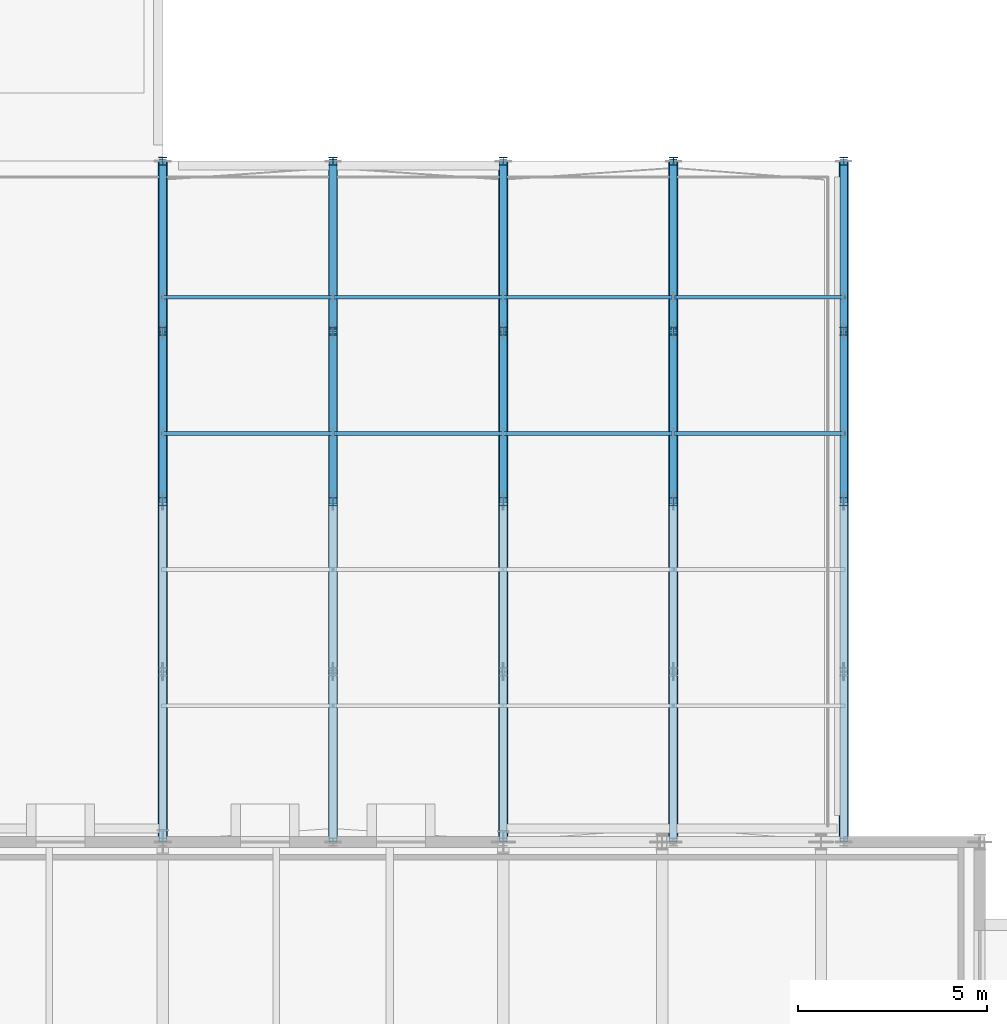
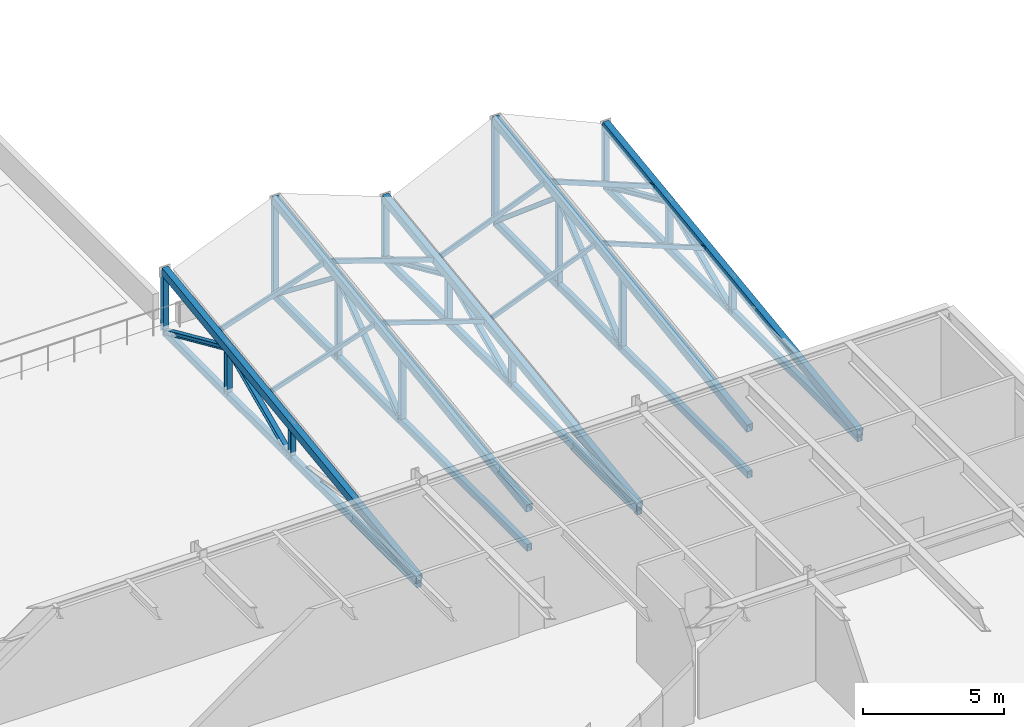
# One storey, part 60 of 142: 43 members.
"""IFC4 building model written with IfcOpenShell, lengths in metres."""

from ifc_helpers import new_model, si_unit, direction, frame, origin, origin_2d, place, context, subcontext, project, spatial, hollow_rectangle, i_section, extrude, material, material_profile, profile_set, type_object, element, save


model = new_model("IFC4")

# Units and contexts
model_context = context("Model", 3, precision=1e-05, world=origin(), true_north=direction((0.0, 1.0)))
body_context = subcontext(model_context, "Body", "Model", "MODEL_VIEW")
ifc_project = project(units=[si_unit("LENGTHUNIT", "METRE"), si_unit("AREAUNIT", "SQUARE_METRE"), si_unit("VOLUMEUNIT", "CUBIC_METRE"), si_unit("PLANEANGLEUNIT", "RADIAN"), si_unit("MASSUNIT", "GRAM", prefix="KILO")], contexts=[model_context])

# Site, building, storey
site_placement = place(None, origin())
site = spatial("IfcSite", under=ifc_project, at=site_placement, CompositionType="ELEMENT")
building_placement = place(site_placement, origin())
building = spatial("IfcBuilding", under=site, at=building_placement, Name="Montelvaro Courts of Justice", CompositionType="ELEMENT")
storey_placement = place(building_placement, frame((0.0, 0.0, 14.39990234375)))
storey = spatial("IfcBuildingStorey", under=building, at=storey_placement, Name="L03", CompositionType="ELEMENT", Elevation=14.39990234375)

# Members
ifc_material = material(Name="Steel S355", Category="steel")
ifc_material_profile_1 = material_profile(ifc_material, i_section(OverallWidth=0.199951171875, OverallDepth=0.18994140625, WebThickness=0.006591796875, FlangeThickness=0.010009765625, at=origin_2d()), Name="HEA 200")
ifc_profile_set_1 = profile_set([ifc_material_profile_1], Name="Steel S355")
member_type_1 = type_object("IfcMemberType", Name="Mem_HEA200_Brace", PredefinedType="BRACE", material=ifc_profile_set_1)
for number, where, z_axis, x_axis, name in (
    (1, (126.0, 33.0, -0.2998046875), (0.0, 0.913056203358, 0.407833752292), (-1.0, 0.0, 0.0), "Roof Truss Web MB-02 ROOF-V4E-VTR01-W3"),
    (2, (126.0, 37.5, 1.710205078125), (0.0, 0.913056203358, -0.407833752292), (-1.0, 0.0, 0.0), "Roof Truss Web MB-02 ROOF-V4E-VTR01-W4"),
    (3, (135.0, 33.0, -0.2998046875), (0.0, 0.913056203358, 0.407833752292), (-1.0, 0.0, 0.0), "Roof Truss Web MB-02 ROOF-V4E-VTR02-W3"),
    (4, (135.0, 37.5, 1.710205078125), (0.0, 0.913056203358, -0.407833752292), (-1.0, 0.0, 0.0), "Roof Truss Web MB-02 ROOF-V4E-VTR02-W4"),
    (5, (144.0, 33.0, -0.2998046875), (0.0, 0.913056203358, 0.407833752292), (-1.0, 0.0, 0.0), "Roof Truss Web MB-02 ROOF-V4E-VTR03-W3"),
    (6, (144.0, 37.5, 1.710205078125), (0.0, 0.913056203358, -0.407833752292), (-1.0, 0.0, 0.0), "Roof Truss Web MB-02 ROOF-V4E-VTR03-W4"),
):
    element("IfcMember", number, at=place(storey_placement, frame(where, z_axis=z_axis, x_axis=x_axis)), inside=storey, type_object=member_type_1, Name=name, PredefinedType="BRACE", context=body_context, shape_type="SweptSolid", body=[
        extrude(i_section(OverallWidth=0.199951171875, OverallDepth=0.18994140625, WebThickness=0.006591796875, FlangeThickness=0.010009765625, at=origin_2d()), origin(), (0.0, 0.0, 1.0), 4.928466796875),
    ])
for number, where, z_axis, x_axis, name in (
    (7, (130.5, 33.0, -0.2998046875), (0.0, 0.788501476184, 0.615032862581), (-1.0, 0.0, 0.0), "Roof Truss Web MB-02 ROOF-V4E-RTR01-W3"),
    (8, (130.5, 37.5, 3.210205078125), (0.0, 0.788501476184, -0.615032862581), (-1.0, 0.0, 0.0), "Roof Truss Web MB-02 ROOF-V4E-RTR01-W4"),
):
    element("IfcMember", number, at=place(storey_placement, frame(where, z_axis=z_axis, x_axis=x_axis)), inside=storey, type_object=member_type_1, Name=name, PredefinedType="BRACE", context=body_context, shape_type="SweptSolid", body=[
        extrude(i_section(OverallWidth=0.199951171875, OverallDepth=0.18994140625, WebThickness=0.006591796875, FlangeThickness=0.010009765625, at=origin_2d()), origin(), (0.0, 0.0, 1.0), 5.70703125),
    ])
for number, where, z_axis, x_axis, name in (
    (9, (139.5, 33.0, -0.2998046875), (0.0, 0.763208778759, 0.64615196357), (-1.0, 0.0, 0.0), "Roof Truss Web MB-02 ROOF-V4E-RTR02-W3"),
    (10, (139.5, 37.5, 3.510009765625), (0.0, 0.763208778759, -0.64615196357), (-1.0, 0.0, 0.0), "Roof Truss Web MB-02 ROOF-V4E-RTR02-W4"),
):
    element("IfcMember", number, at=place(storey_placement, frame(where, z_axis=z_axis, x_axis=x_axis)), inside=storey, type_object=member_type_1, Name=name, PredefinedType="BRACE", context=body_context, shape_type="SweptSolid", body=[
        extrude(i_section(OverallWidth=0.199951171875, OverallDepth=0.18994140625, WebThickness=0.006591796875, FlangeThickness=0.010009765625, at=origin_2d()), origin(), (0.0, 0.0, 1.0), 5.896240234375),
    ])
ifc_material_profile_2 = material_profile(ifc_material, i_section(OverallWidth=0.219970703125, OverallDepth=0.2099609375, WebThickness=0.007080078125, FlangeThickness=0.010986328125, at=origin_2d()), Name="HEA 220")
ifc_profile_set_2 = profile_set([ifc_material_profile_2], Name="Steel S355")
member_type_2 = type_object("IfcMemberType", Name="Mem_HEA220_Post", PredefinedType="POST", material=ifc_profile_set_2)
member_1_placement = place(storey_placement, frame((126.0, 33.0, -0.2998046875), z_axis=(0.0, 0.0, 1.0), x_axis=(1.0, 0.0, 0.0)))
element("IfcMember", 11, at=member_1_placement, inside=storey, type_object=member_type_2, Name="Roof Truss Post MP-03 ROOF-V4E-VTR01-V2", PredefinedType="POST", context=body_context, shape_type="SweptSolid", body=[
    extrude(i_section(OverallWidth=0.219970703125, OverallDepth=0.2099609375, WebThickness=0.007080078125, FlangeThickness=0.010986328125, at=origin_2d()), origin(), (0.0, 0.0, 1.0), 1.409912109375),
])
member_2_placement = place(storey_placement, frame((126.0, 37.5, -0.2998046875), z_axis=(0.0, 0.0, 1.0), x_axis=(1.0, 0.0, 0.0)))
element("IfcMember", 12, at=member_2_placement, inside=storey, type_object=member_type_2, Name="Roof Truss Post MP-03 ROOF-V4E-VTR01-V3", PredefinedType="POST", context=body_context, shape_type="SweptSolid", body=[
    extrude(i_section(OverallWidth=0.219970703125, OverallDepth=0.2099609375, WebThickness=0.007080078125, FlangeThickness=0.010986328125, at=origin_2d()), origin(), (0.0, 0.0, 1.0), 2.010009765625),
])
member_3_placement = place(storey_placement, frame((126.0, 42.0, -0.2998046875), z_axis=(0.0, 0.0, 1.0), x_axis=(1.0, 0.0, 0.0)))
element("IfcMember", 13, at=member_3_placement, inside=storey, type_object=member_type_2, Name="Roof Truss Post MP-03 ROOF-V4E-VTR01-V4", PredefinedType="POST", context=body_context, shape_type="SweptSolid", body=[
    extrude(i_section(OverallWidth=0.219970703125, OverallDepth=0.2099609375, WebThickness=0.007080078125, FlangeThickness=0.010986328125, at=origin_2d()), origin(), (0.0, 0.0, 1.0), 2.60986328125),
])
member_4_placement = place(storey_placement, frame((135.0, 33.0, -0.2998046875), z_axis=(0.0, 0.0, 1.0), x_axis=(1.0, 0.0, 0.0)))
element("IfcMember", 14, at=member_4_placement, inside=storey, type_object=member_type_2, Name="Roof Truss Post MP-03 ROOF-V4E-VTR02-V2", PredefinedType="POST", context=body_context, shape_type="SweptSolid", body=[
    extrude(i_section(OverallWidth=0.219970703125, OverallDepth=0.2099609375, WebThickness=0.007080078125, FlangeThickness=0.010986328125, at=origin_2d()), origin(), (0.0, 0.0, 1.0), 1.409912109375),
])
member_5_placement = place(storey_placement, frame((135.0, 37.5, -0.2998046875), z_axis=(0.0, 0.0, 1.0), x_axis=(1.0, 0.0, 0.0)))
element("IfcMember", 15, at=member_5_placement, inside=storey, type_object=member_type_2, Name="Roof Truss Post MP-03 ROOF-V4E-VTR02-V3", PredefinedType="POST", context=body_context, shape_type="SweptSolid", body=[
    extrude(i_section(OverallWidth=0.219970703125, OverallDepth=0.2099609375, WebThickness=0.007080078125, FlangeThickness=0.010986328125, at=origin_2d()), origin(), (0.0, 0.0, 1.0), 2.010009765625),
])
member_6_placement = place(storey_placement, frame((135.0, 42.0, -0.2998046875), z_axis=(0.0, 0.0, 1.0), x_axis=(1.0, 0.0, 0.0)))
element("IfcMember", 16, at=member_6_placement, inside=storey, type_object=member_type_2, Name="Roof Truss Post MP-03 ROOF-V4E-VTR02-V4", PredefinedType="POST", context=body_context, shape_type="SweptSolid", body=[
    extrude(i_section(OverallWidth=0.219970703125, OverallDepth=0.2099609375, WebThickness=0.007080078125, FlangeThickness=0.010986328125, at=origin_2d()), origin(), (0.0, 0.0, 1.0), 2.60986328125),
])
member_7_placement = place(storey_placement, frame((144.0, 33.0, -0.2998046875), z_axis=(0.0, 0.0, 1.0), x_axis=(1.0, 0.0, 0.0)))
element("IfcMember", 17, at=member_7_placement, inside=storey, type_object=member_type_2, Name="Roof Truss Post MP-03 ROOF-V4E-VTR03-V2", PredefinedType="POST", context=body_context, shape_type="SweptSolid", body=[
    extrude(i_section(OverallWidth=0.219970703125, OverallDepth=0.2099609375, WebThickness=0.007080078125, FlangeThickness=0.010986328125, at=origin_2d()), origin(), (0.0, 0.0, 1.0), 1.409912109375),
])
member_8_placement = place(storey_placement, frame((144.0, 37.5, -0.2998046875), z_axis=(0.0, 0.0, 1.0), x_axis=(1.0, 0.0, 0.0)))
element("IfcMember", 18, at=member_8_placement, inside=storey, type_object=member_type_2, Name="Roof Truss Post MP-03 ROOF-V4E-VTR03-V3", PredefinedType="POST", context=body_context, shape_type="SweptSolid", body=[
    extrude(i_section(OverallWidth=0.219970703125, OverallDepth=0.2099609375, WebThickness=0.007080078125, FlangeThickness=0.010986328125, at=origin_2d()), origin(), (0.0, 0.0, 1.0), 2.010009765625),
])
member_9_placement = place(storey_placement, frame((144.0, 42.0, -0.2998046875), z_axis=(0.0, 0.0, 1.0), x_axis=(1.0, 0.0, 0.0)))
element("IfcMember", 19, at=member_9_placement, inside=storey, type_object=member_type_2, Name="Roof Truss Post MP-03 ROOF-V4E-VTR03-V4", PredefinedType="POST", context=body_context, shape_type="SweptSolid", body=[
    extrude(i_section(OverallWidth=0.219970703125, OverallDepth=0.2099609375, WebThickness=0.007080078125, FlangeThickness=0.010986328125, at=origin_2d()), origin(), (0.0, 0.0, 1.0), 2.60986328125),
])
member_10_placement = place(storey_placement, frame((130.5, 33.0, -0.2998046875), z_axis=(0.0, 0.0, 1.0), x_axis=(1.0, 0.0, 0.0)))
element("IfcMember", 20, at=member_10_placement, inside=storey, type_object=member_type_2, Name="Roof Truss Post MP-03 ROOF-V4E-RTR01-V2", PredefinedType="POST", context=body_context, shape_type="SweptSolid", body=[
    extrude(i_section(OverallWidth=0.219970703125, OverallDepth=0.2099609375, WebThickness=0.007080078125, FlangeThickness=0.010986328125, at=origin_2d()), origin(), (0.0, 0.0, 1.0), 2.909912109375),
])
member_11_placement = place(storey_placement, frame((130.5, 37.5, -0.2998046875), z_axis=(0.0, 0.0, 1.0), x_axis=(1.0, 0.0, 0.0)))
element("IfcMember", 21, at=member_11_placement, inside=storey, type_object=member_type_2, Name="Roof Truss Post MP-03 ROOF-V4E-RTR01-V3", PredefinedType="POST", context=body_context, shape_type="SweptSolid", body=[
    extrude(i_section(OverallWidth=0.219970703125, OverallDepth=0.2099609375, WebThickness=0.007080078125, FlangeThickness=0.010986328125, at=origin_2d()), origin(), (0.0, 0.0, 1.0), 3.510009765625),
])
member_12_placement = place(storey_placement, frame((130.5, 42.0, -0.2998046875), z_axis=(0.0, 0.0, 1.0), x_axis=(1.0, 0.0, 0.0)))
element("IfcMember", 22, at=member_12_placement, inside=storey, type_object=member_type_2, Name="Roof Truss Post MP-03 ROOF-V4E-RTR01-V4", PredefinedType="POST", context=body_context, shape_type="SweptSolid", body=[
    extrude(i_section(OverallWidth=0.219970703125, OverallDepth=0.2099609375, WebThickness=0.007080078125, FlangeThickness=0.010986328125, at=origin_2d()), origin(), (0.0, 0.0, 1.0), 4.10986328125),
])
member_13_placement = place(storey_placement, frame((139.5, 33.0, -0.2998046875), z_axis=(0.0, 0.0, 1.0), x_axis=(1.0, 0.0, 0.0)))
element("IfcMember", 23, at=member_13_placement, inside=storey, type_object=member_type_2, Name="Roof Truss Post MP-03 ROOF-V4E-RTR02-V2", PredefinedType="POST", context=body_context, shape_type="SweptSolid", body=[
    extrude(i_section(OverallWidth=0.219970703125, OverallDepth=0.2099609375, WebThickness=0.007080078125, FlangeThickness=0.010986328125, at=origin_2d()), origin(), (0.0, 0.0, 1.0), 3.2099609375),
])
member_14_placement = place(storey_placement, frame((139.5, 37.5, -0.2998046875), z_axis=(0.0, 0.0, 1.0), x_axis=(1.0, 0.0, 0.0)))
element("IfcMember", 24, at=member_14_placement, inside=storey, type_object=member_type_2, Name="Roof Truss Post MP-03 ROOF-V4E-RTR02-V3", PredefinedType="POST", context=body_context, shape_type="SweptSolid", body=[
    extrude(i_section(OverallWidth=0.219970703125, OverallDepth=0.2099609375, WebThickness=0.007080078125, FlangeThickness=0.010986328125, at=origin_2d()), origin(), (0.0, 0.0, 1.0), 3.809814453125),
])
member_15_placement = place(storey_placement, frame((139.5, 42.0, -0.2998046875), z_axis=(0.0, 0.0, 1.0), x_axis=(1.0, 0.0, 0.0)))
element("IfcMember", 25, at=member_15_placement, inside=storey, type_object=member_type_2, Name="Roof Truss Post MP-03 ROOF-V4E-RTR02-V4", PredefinedType="POST", context=body_context, shape_type="SweptSolid", body=[
    extrude(i_section(OverallWidth=0.219970703125, OverallDepth=0.2099609375, WebThickness=0.007080078125, FlangeThickness=0.010986328125, at=origin_2d()), origin(), (0.0, 0.0, 1.0), 4.409912109375),
])
ifc_material_profile_3 = material_profile(ifc_material, hollow_rectangle(XDim=0.10009765625, YDim=0.179931640625, WallThickness=0.008056640625, at=origin_2d()), Name="RHS 180x100x8")
ifc_profile_set_3 = profile_set([ifc_material_profile_3], Name="Steel S355")
member_type_3 = type_object("IfcMemberType", Name="Mem_RHS180_Purlin", PredefinedType="PURLIN", material=ifc_profile_set_3)
for number, where, z_axis, x_axis, name in (
    (26, (126.0, 34.800048828125, 1.35009765625), (0.948683298051, 0.0, 0.316227766017), (0.0, 1.0, 0.0), "Roof Purlin MR-03 ROOF-V4E-PRL-01-3L"),
    (27, (130.5, 34.800048828125, 2.85009765625), (0.948683298051, 0.0, -0.316227766017), (0.0, 1.0, 0.0), "Roof Purlin MR-03 ROOF-V4E-PRL-01-3R"),
):
    element("IfcMember", number, at=place(storey_placement, frame(where, z_axis=z_axis, x_axis=x_axis)), inside=storey, type_object=member_type_3, Name=name, PredefinedType="PURLIN", context=body_context, shape_type="SweptSolid", body=[
        extrude(hollow_rectangle(XDim=0.10009765625, YDim=0.179931640625, WallThickness=0.008056640625, at=origin_2d()), origin(), (0.0, 0.0, 1.0), 4.743408203125),
    ])
for number, where, z_axis, x_axis, name in (
    (28, (135.0, 34.800048828125, 1.35009765625), (0.928473216852, 0.0, 0.37139936132), (0.0, 1.0, 0.0), "Roof Purlin MR-03 ROOF-V4E-PRL-02-3L"),
    (29, (139.5, 34.800048828125, 3.150146484375), (0.928473216852, 0.0, -0.37139936132), (0.0, 1.0, 0.0), "Roof Purlin MR-03 ROOF-V4E-PRL-02-3R"),
):
    element("IfcMember", number, at=place(storey_placement, frame(where, z_axis=z_axis, x_axis=x_axis)), inside=storey, type_object=member_type_3, Name=name, PredefinedType="PURLIN", context=body_context, shape_type="SweptSolid", body=[
        extrude(hollow_rectangle(XDim=0.10009765625, YDim=0.179931640625, WallThickness=0.008056640625, at=origin_2d()), origin(), (0.0, 0.0, 1.0), 4.8466796875),
    ])
ifc_material_profile_4 = material_profile(ifc_material, hollow_rectangle(XDim=0.10009765625, YDim=0.199951171875, WallThickness=0.008056640625, at=origin_2d()), Name="RHS 200x100x8")
ifc_profile_set_4 = profile_set([ifc_material_profile_4], Name="Steel S355")
member_type_4 = type_object("IfcMemberType", Name="Mem_RHS200_Purlin", PredefinedType="PURLIN", material=ifc_profile_set_4)
for number, where, z_axis, x_axis, name in (
    (30, (126.0, 38.39990234375, 1.830078125), (0.948683298051, 0.0, 0.316227766017), (0.0, 1.0, 0.0), "Roof Purlin MR-04 ROOF-V4E-PRL-01-4L"),
    (31, (130.5, 38.39990234375, 3.330078125), (0.948683298051, 0.0, -0.316227766017), (0.0, 1.0, 0.0), "Roof Purlin MR-04 ROOF-V4E-PRL-01-4R"),
):
    element("IfcMember", number, at=place(storey_placement, frame(where, z_axis=z_axis, x_axis=x_axis)), inside=storey, type_object=member_type_4, Name=name, PredefinedType="PURLIN", context=body_context, shape_type="SweptSolid", body=[
        extrude(hollow_rectangle(XDim=0.10009765625, YDim=0.199951171875, WallThickness=0.008056640625, at=origin_2d()), origin(), (0.0, 0.0, 1.0), 4.743408203125),
    ])
for number, where, z_axis, x_axis, name in (
    (32, (135.0, 38.39990234375, 1.830078125), (0.928473216852, 0.0, 0.37139936132), (0.0, 1.0, 0.0), "Roof Purlin MR-04 ROOF-V4E-PRL-02-4L"),
    (33, (139.5, 38.39990234375, 3.630126953125), (0.928473216852, 0.0, -0.37139936132), (0.0, 1.0, 0.0), "Roof Purlin MR-04 ROOF-V4E-PRL-02-4R"),
):
    element("IfcMember", number, at=place(storey_placement, frame(where, z_axis=z_axis, x_axis=x_axis)), inside=storey, type_object=member_type_4, Name=name, PredefinedType="PURLIN", context=body_context, shape_type="SweptSolid", body=[
        extrude(hollow_rectangle(XDim=0.10009765625, YDim=0.199951171875, WallThickness=0.008056640625, at=origin_2d()), origin(), (0.0, 0.0, 1.0), 4.8466796875),
    ])
ifc_material_profile_5 = material_profile(ifc_material, hollow_rectangle(XDim=0.199951171875, YDim=0.300048828125, WallThickness=0.012451171875, at=origin_2d()), Name="RHS 300x200x12.5")
ifc_profile_set_5 = profile_set([ifc_material_profile_5], Name="Steel S355")
member_type_5 = type_object("IfcMemberType", Name="Mem_RHS300_Chord", PredefinedType="CHORD", material=ifc_profile_set_5)
for number, where, z_axis, x_axis, name in (
    (34, (126.0, 24.0, -0.2998046875), (0.0, 1.0, 0.0), (-1.0, 0.0, 0.0), "Roof Truss ROOF-V4E-VTR01 Bottom Chord"),
    (35, (135.0, 24.0, -0.2998046875), (0.0, 1.0, 0.0), (-1.0, 0.0, 0.0), "Roof Truss ROOF-V4E-VTR02 Bottom Chord"),
    (36, (144.0, 24.0, -0.2998046875), (0.0, 1.0, 0.0), (-1.0, 0.0, 0.0), "Roof Truss ROOF-V4E-VTR03 Bottom Chord"),
    (37, (130.5, 24.0, -0.2998046875), (0.0, 1.0, 0.0), (-1.0, 0.0, 0.0), "Roof Truss ROOF-V4E-RTR01 Bottom Chord"),
    (38, (139.5, 24.0, -0.2998046875), (0.0, 1.0, 0.0), (-1.0, 0.0, 0.0), "Roof Truss ROOF-V4E-RTR02 Bottom Chord"),
):
    element("IfcMember", number, at=place(storey_placement, frame(where, z_axis=z_axis, x_axis=x_axis)), inside=storey, type_object=member_type_5, Name=name, PredefinedType="CHORD", context=body_context, shape_type="SweptSolid", body=[
        extrude(hollow_rectangle(XDim=0.199951171875, YDim=0.300048828125, WallThickness=0.012451171875, at=origin_2d()), origin(), (0.0, 0.0, 1.0), 18.0),
    ])
ifc_material_profile_6 = material_profile(ifc_material, hollow_rectangle(XDim=0.25, YDim=0.35009765625, WallThickness=0.012451171875, at=origin_2d()), Name="RHS 350x250x12.5")
ifc_profile_set_6 = profile_set([ifc_material_profile_6], Name="Steel S355")
member_type_6 = type_object("IfcMemberType", Name="Mem_RHS350_Chord", PredefinedType="CHORD", material=ifc_profile_set_6)
for number, where, z_axis, x_axis, name in (
    (39, (126.0, 24.0, -0.08984375), (0.0, 0.991228605179, 0.132158436264), (-1.0, 0.0, 0.0), "Roof Truss ROOF-V4E-VTR01 Top Chord"),
    (40, (135.0, 24.0, -0.08984375), (0.0, 0.991228605179, 0.132158436264), (-1.0, 0.0, 0.0), "Roof Truss ROOF-V4E-VTR02 Top Chord"),
    (41, (144.0, 24.0, -0.08984375), (0.0, 0.991228605179, 0.132158436264), (-1.0, 0.0, 0.0), "Roof Truss ROOF-V4E-VTR03 Top Chord"),
    (42, (130.5, 24.0, 1.41015625), (0.0, 0.991228605179, 0.132158436264), (-1.0, 0.0, 0.0), "Roof Truss ROOF-V4E-RTR01 Top Chord"),
    (43, (139.5, 24.0, 1.710205078125), (0.0, 0.991228605179, 0.132158436264), (-1.0, 0.0, 0.0), "Roof Truss ROOF-V4E-RTR02 Top Chord"),
):
    element("IfcMember", number, at=place(storey_placement, frame(where, z_axis=z_axis, x_axis=x_axis)), inside=storey, type_object=member_type_6, Name=name, PredefinedType="CHORD", context=body_context, shape_type="SweptSolid", body=[
        extrude(hollow_rectangle(XDim=0.25, YDim=0.35009765625, WallThickness=0.012451171875, at=origin_2d()), origin(), (0.0, 0.0, 1.0), 18.1591796875),
    ])

save(model, "model.ifc")
